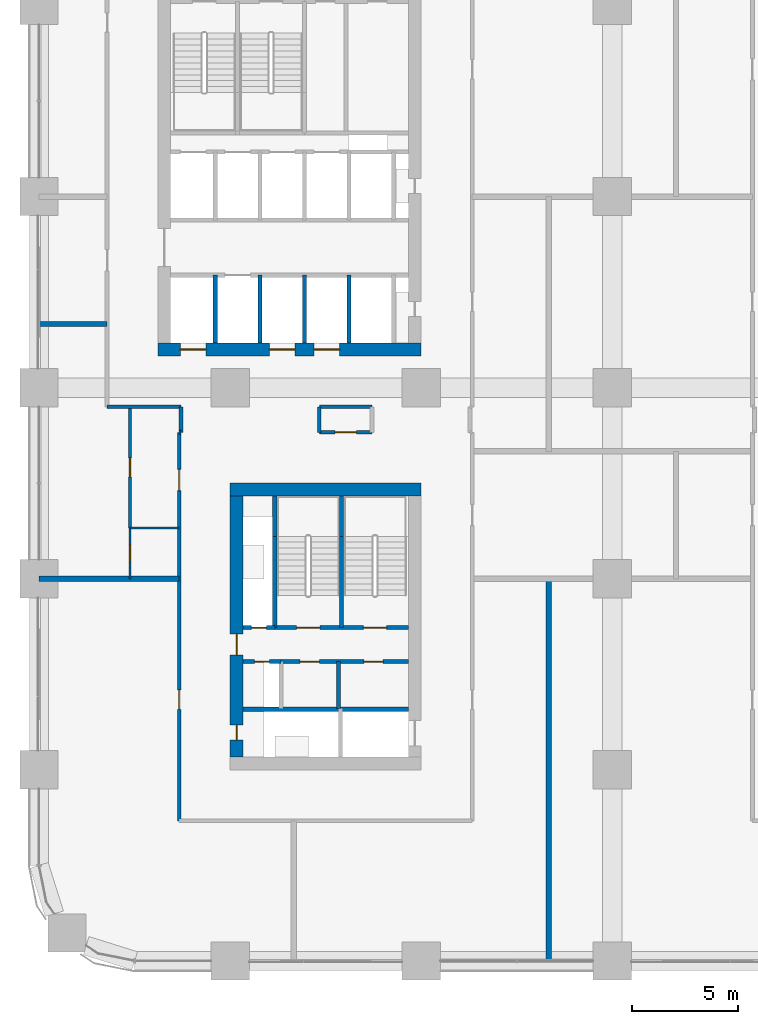
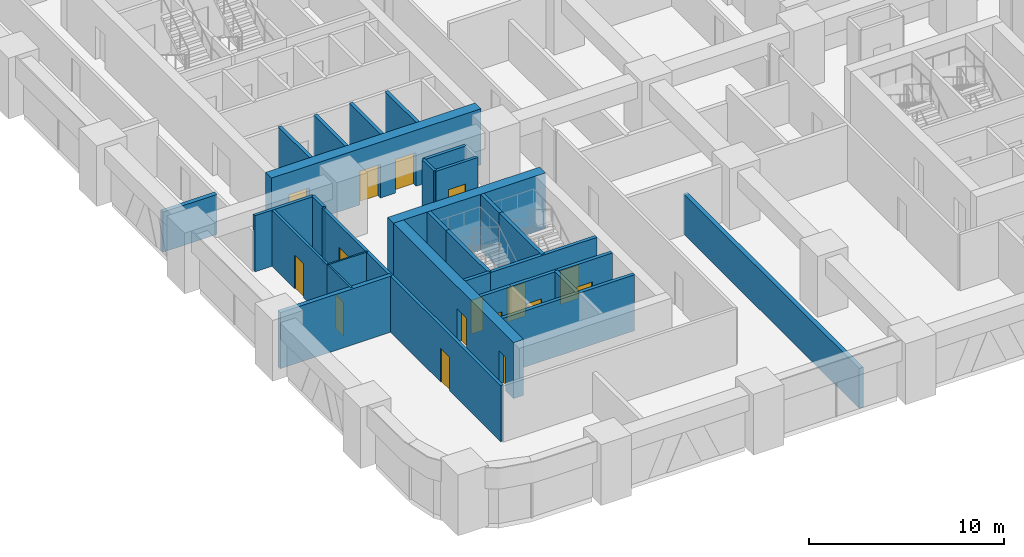
# One storey, part 13 of 21: 30 walls, 16 doors, 16 openings.
"""IFC4 building model written with IfcOpenShell, lengths in metres."""

import ifcopenshell
import ifcopenshell.guid

model = None  # the IFC model being written
_history = None  # IfcOwnerHistory: only IFC2X3 demands one
_inside = {}  # id of a spatial element -> (the spatial element, [elements in it])
_under = {}  # id of a project, library or spatial element -> (it, [spatial elements below it])
_declared = {}  # id of a project -> (the project, [libraries it declares])
_typed = {}  # id of a type object -> (the type object, [elements of that type])
_made_of = {}  # id of a material, layer set ... -> (it, [elements and type objects made of it])


def new_model(schema):
    """Start an empty IFC model of exactly this schema.

    Asked for "IFC4X3", IfcOpenShell would pick the latest addendum, in which some entities
    have other attributes; the version numbers below select the first issue.
    IFC2X3 requires an IfcOwnerHistory on every rooted entity: one is made here for all.
    """
    global model, _history
    if schema == "IFC4X3":
        model = ifcopenshell.file(schema_version=(4, 3, 0, 0))
    else:
        model = ifcopenshell.file(schema=schema)
    _inside.clear()
    _under.clear()
    _declared.clear()
    _typed.clear()
    _made_of.clear()
    _history = None
    if model.schema == "IFC2X3":
        org = make("IfcOrganization", Name="unknown")
        user = make(
            "IfcPersonAndOrganization",
            ThePerson=make("IfcPerson", FamilyName="unknown"),
            TheOrganization=org,
        )
        app = make(
            "IfcApplication",
            ApplicationDeveloper=org,
            Version="unknown",
            ApplicationFullName="unknown",
            ApplicationIdentifier="unknown",
        )
        _history = make(
            "IfcOwnerHistory",
            OwningUser=user,
            OwningApplication=app,
            ChangeAction="ADDED",
            CreationDate=0,
        )
    return model


def make(cls, **values):
    """One entity of the class cls with the attributes given. An attribute that is None is left unset."""
    return model.create_entity(
        cls, **{name: value for name, value in values.items() if value is not None}
    )


def rooted(cls, **values):
    """An entity with a GlobalId (a new one), such as an element, a storey or a relation."""
    return make(cls, GlobalId=ifcopenshell.guid.new(), OwnerHistory=_history, **values)


def si_unit(unit_type, name, prefix=None):
    """IfcSIUnit, for example si_unit("LENGTHUNIT", "METRE", prefix="MILLI")."""
    return make("IfcSIUnit", UnitType=unit_type, Prefix=prefix, Name=name)


def assignment(units):
    """IfcUnitAssignment: the units of a project."""
    return None if units is None else make("IfcUnitAssignment", Units=units)


def point(xyz):
    """IfcCartesianPoint."""
    return None if xyz is None else make("IfcCartesianPoint", Coordinates=xyz)


def direction(xyz):
    """IfcDirection."""
    return None if xyz is None else make("IfcDirection", DirectionRatios=xyz)


def frame(location, z_axis=None, x_axis=None):
    """IfcAxis2Placement3D, a coordinate frame: its origin and axes. An axis left out is left unset."""
    return make(
        "IfcAxis2Placement3D",
        Location=point(location),
        Axis=direction(z_axis),
        RefDirection=direction(x_axis),
    )


def frame_2d(location, x_axis=None):
    """IfcAxis2Placement2D, a coordinate frame in the plane: its origin and x axis."""
    return make(
        "IfcAxis2Placement2D", Location=point(location), RefDirection=direction(x_axis)
    )


def origin():
    """The frame at (0, 0, 0) with its axes left unset."""
    return frame((0.0, 0.0, 0.0))


def place(relative_to, where):
    """IfcLocalPlacement: puts the frame where relative to a parent placement (None: the world)."""
    return make(
        "IfcLocalPlacement", PlacementRelTo=relative_to, RelativePlacement=where
    )


def context(
    kind, dimensions, precision=None, world=None, true_north=None, identifier=None
):
    """IfcGeometricRepresentationContext, for example the 3D "Model" context."""
    return make(
        "IfcGeometricRepresentationContext",
        ContextIdentifier=identifier,
        ContextType=kind,
        CoordinateSpaceDimension=dimensions,
        Precision=precision,
        WorldCoordinateSystem=world,
        TrueNorth=true_north,
    )


def subcontext(parent, identifier, kind, view, scale=None):
    """IfcGeometricRepresentationSubContext, for example "Body" below "Model"."""
    return make(
        "IfcGeometricRepresentationSubContext",
        ContextIdentifier=identifier,
        ContextType=kind,
        ParentContext=parent,
        TargetScale=scale,
        TargetView=view,
    )


def project(units=None, contexts=None):
    """IfcProject with its units and contexts."""
    return rooted(
        "IfcProject",
        Name="project",
        RepresentationContexts=contexts,
        UnitsInContext=assignment(units),
    )


def spatial(cls, under=None, at=None, **own):
    """A site, building, storey or space (cls), placed at a placement, below another one or the project."""
    s = rooted(cls, ObjectPlacement=at, **own)
    if under is not None:
        _under.setdefault(under.id(), (under, []))[1].append(s)
    return s


def profile(cls, at=None, kind="AREA", **sizes):
    """A parametric profile (cls). Its sizes go by their IFC names, for example OverallWidth=200.0."""
    return make(cls, ProfileType=kind, Position=at, **sizes)


def rectangle(**sizes):
    """IfcRectangleProfileDef."""
    return profile("IfcRectangleProfileDef", **sizes)


def extrude(swept, where, along, depth):
    """IfcExtrudedAreaSolid: the profile swept, set in the frame where, extruded along a direction by depth."""
    return make(
        "IfcExtrudedAreaSolid",
        SweptArea=swept,
        Position=where,
        ExtrudedDirection=direction(along),
        Depth=depth,
    )


def shape(context_of_items, identifier, shape_type, items):
    """IfcShapeRepresentation: the items that make up one representation, for example the "Body"."""
    return make(
        "IfcShapeRepresentation",
        ContextOfItems=context_of_items,
        RepresentationIdentifier=identifier,
        RepresentationType=shape_type,
        Items=items,
    )


def material(Name=None, Category=None):
    """IfcMaterial."""
    return make("IfcMaterial", Name=Name, Category=Category)


def layer(
    of_material, thickness, ventilated=None, Name=None, Category=None, Priority=None
):
    """IfcMaterialLayer: one layer of a wall or slab, of a material (None: an air gap)."""
    return make(
        "IfcMaterialLayer",
        Material=of_material,
        LayerThickness=thickness,
        IsVentilated=ventilated,
        Name=Name,
        Category=Category,
        Priority=Priority,
    )


def layer_set(layers, Name=None):
    """IfcMaterialLayerSet."""
    return make("IfcMaterialLayerSet", MaterialLayers=layers, LayerSetName=Name)


def made_of(thing, what):
    """Note that an element or type object is made of a material, layer set ...; save() writes the relation."""
    if what is not None:
        _made_of.setdefault(what.id(), (what, []))[1].append(thing)
    return thing


def type_object(cls, material=None, **own):
    """A type object (cls), such as IfcWallType, which elements share."""
    return made_of(rooted(cls, **own), material)


def element(
    cls,
    number,
    at=None,
    inside=None,
    cuts=None,
    type_object=None,
    material=None,
    context=None,
    identifier="Body",
    shape_type=None,
    held_by="IfcProductDefinitionShape",
    body=None,
    shapes=None,
    **own,
):
    """One element of the class cls, such as IfcWall. Its Tag is "e" and its number.

    at: its placement. inside: the storey or other place that contains it. cuts: it is an
    opening in that element (IfcRelVoidsElement). A single representation is given by context,
    identifier, shape_type and body (its items); several are given by shapes. held_by: the class
    of the entity that holds the representations. save() writes the other relations.
    """
    e = rooted(cls, Tag="e%d" % number, ObjectPlacement=at, **own)
    if body is not None:
        shapes = [shape(context, identifier, shape_type, body)]
    if shapes is not None:
        e.Representation = make(held_by, Representations=shapes)
    if inside is not None:
        _inside.setdefault(inside.id(), (inside, []))[1].append(e)
    if cuts is not None:
        rooted(
            "IfcRelVoidsElement", RelatingBuildingElement=cuts, RelatedOpeningElement=e
        )
    if type_object is not None:
        _typed.setdefault(type_object.id(), (type_object, []))[1].append(e)
    return made_of(e, material)


def fill(opening, filler):
    """IfcRelFillsElement: the door or window that sits in an opening."""
    return rooted(
        "IfcRelFillsElement",
        RelatingOpeningElement=opening,
        RelatedBuildingElement=filler,
    )


def aggregate(whole, parts):
    """IfcRelAggregates: a whole, such as a stair, and the parts it consists of."""
    return rooted("IfcRelAggregates", RelatingObject=whole, RelatedObjects=parts)


def save(model, path):
    """Write the relations noted so far, then the file.

    IfcRelAggregates (storeys below a building ...), IfcRelContainedInSpatialStructure (elements
    in a storey), IfcRelDefinesByType, IfcRelAssociatesMaterial and IfcRelDeclares: one each for
    every whole, place, type object, material and project.
    """
    for whole, parts in _under.values():
        aggregate(whole, parts)
    for where, things in _inside.values():
        rooted(
            "IfcRelContainedInSpatialStructure",
            RelatedElements=things,
            RelatingStructure=where,
        )
    for kind, things in _typed.values():
        rooted("IfcRelDefinesByType", RelatedObjects=things, RelatingType=kind)
    for what, things in _made_of.values():
        rooted("IfcRelAssociatesMaterial", RelatedObjects=things, RelatingMaterial=what)
    for by, libraries in _declared.values():
        rooted("IfcRelDeclares", RelatingContext=by, RelatedDefinitions=libraries)
    model.write(path)


model = new_model("IFC4")

# Units and contexts
model_context = context("Model", 3, precision=1e-05, world=origin(), true_north=direction((0.0, 1.0)))
body_context = subcontext(model_context, "Body", "Model", "MODEL_VIEW")
ifc_project = project(units=[si_unit("LENGTHUNIT", "METRE"), si_unit("AREAUNIT", "SQUARE_METRE"), si_unit("VOLUMEUNIT", "CUBIC_METRE"), si_unit("PLANEANGLEUNIT", "RADIAN"), si_unit("MASSUNIT", "GRAM", prefix="KILO")], contexts=[model_context])

# Site, building, storey
site_placement = place(None, origin())
site = spatial("IfcSite", under=ifc_project, at=site_placement, CompositionType="ELEMENT")
building_placement = place(site_placement, origin())
building = spatial("IfcBuilding", under=site, at=building_placement, Name="Tessera Arch", CompositionType="ELEMENT")
storey_placement = place(building_placement, frame((0.0, 0.0, 65.199951171875)))
storey = spatial("IfcBuildingStorey", under=building, at=storey_placement, Name="L14", CompositionType="ELEMENT", Elevation=65.199951171875)

# Wall
ifc_material_1 = material(Name="Gypsum board on steel stud", Category="steel")
ifc_layer_1 = layer(ifc_material_1, 0.125)
ifc_layer_set_1 = layer_set([ifc_layer_1], Name="Core partition 125 EI 60")
wall_type_1 = type_object("IfcWallType", Name="Core partition 125 EI 60", PredefinedType="PARTITIONING", material=ifc_layer_set_1)
wall_1_placement = place(storey_placement, frame((14.10009765625, 11.89990234375, 0.0), z_axis=(0.0, 0.0, 1.0), x_axis=(0.0, 1.0, 0.0)))
element("IfcWall", 1, at=wall_1_placement, inside=storey, type_object=wall_type_1, Name="L14 C4 partition wall 4", PredefinedType="PARTITIONING", context=body_context, shape_type="SweptSolid", body=[
    extrude(rectangle(XDim=2.2001953125, YDim=0.199951171875, at=frame_2d((1.10009765625, 0.0))), origin(), (0.0, 0.0, 1.0), 3.5),
])

# Wall, openings, doors
wall_2_placement = place(storey_placement, frame((11.39990234375, 14.10009765625, 0.0), z_axis=(0.0, 0.0, 1.0), x_axis=(1.0, 0.0, 0.0)))
wall_2 = element("IfcWall", 2, at=wall_2_placement, inside=storey, type_object=wall_type_1, Name="L14 C4 partition wall 9", PredefinedType="PARTITIONING", context=body_context, shape_type="SweptSolid", body=[
    extrude(rectangle(XDim=6.0, YDim=0.199951171875, at=frame_2d((3.0, 0.0))), origin(), (0.0, 0.0, 1.0), 3.5),
])
opening_1_placement = place(wall_2_placement, frame((0.89990234375, 0.0, 0.0)))
opening_1 = element("IfcOpeningElement", 3, at=opening_1_placement, cuts=wall_2, Name="Opening L14-C48", PredefinedType="OPENING", context=body_context, shape_type="SweptSolid", body=[
    extrude(rectangle(XDim=0.89990234375, YDim=2.10009765625, at=frame_2d((0.449951171875, 1.050048828125))), frame((0.0, 0.10986328125, 0.0), z_axis=(0.0, -1.0, 0.0), x_axis=(1.0, 0.0, 0.0)), (0.0, 0.0, 1.0), 0.219970703125),
])
opening_2_placement = place(wall_2_placement, frame((3.89990234375, 0.0, 0.0)))
opening_2 = element("IfcOpeningElement", 4, at=opening_2_placement, cuts=wall_2, Name="Opening L14-C49", PredefinedType="OPENING", context=body_context, shape_type="SweptSolid", body=[
    extrude(rectangle(XDim=0.89990234375, YDim=2.10009765625, at=frame_2d((0.449951171875, 1.050048828125))), frame((0.0, 0.10986328125, 0.0), z_axis=(0.0, -1.0, 0.0), x_axis=(1.0, 0.0, 0.0)), (0.0, 0.0, 1.0), 0.219970703125),
])
ifc_material_2 = material(Name="Steel door leaf", Category="steel")
door_type_1 = type_object("IfcDoorType", Name="Store door FD30S 900 x 2100", OperationType="SINGLE_SWING_LEFT", PredefinedType="DOOR", material=ifc_material_2)
door_1_placement = place(opening_1_placement, origin())
door_1 = element("IfcDoor", 5, at=door_1_placement, inside=storey, type_object=door_type_1, Name="L14 C4 door 8 C48 type D09", OperationType="SINGLE_SWING_LEFT", OverallHeight=2.10009765625, OverallWidth=0.89990234375, PredefinedType="DOOR", context=body_context, shape_type="SweptSolid", body=[
    extrude(rectangle(XDim=0.89990234375, YDim=2.10009765625, at=frame_2d((0.449951171875, 1.050048828125))), frame((0.0, 0.02490234375, 0.0), z_axis=(0.0, -1.0, 0.0), x_axis=(1.0, 0.0, 0.0)), (0.0, 0.0, 1.0), 0.050048828125),
])
fill(opening_1, door_1)
door_2_placement = place(opening_2_placement, origin())
door_2 = element("IfcDoor", 6, at=door_2_placement, inside=storey, type_object=door_type_1, Name="L14 C4 door 9 C49 type D09", OperationType="SINGLE_SWING_RIGHT", OverallHeight=2.10009765625, OverallWidth=0.89990234375, PredefinedType="DOOR", context=body_context, shape_type="SweptSolid", body=[
    extrude(rectangle(XDim=0.89990234375, YDim=2.10009765625, at=frame_2d((0.449951171875, 1.050048828125))), frame((0.0, 0.02490234375, 0.0), z_axis=(0.0, -1.0, 0.0), x_axis=(1.0, 0.0, 0.0)), (0.0, 0.0, 1.0), 0.050048828125),
])
fill(opening_2, door_2)

ifc_material_3 = material(Name="Concrete C70/85", Category="concrete")
ifc_layer_2 = layer(ifc_material_3, 0.60009765625)
ifc_layer_set_2 = layer_set([ifc_layer_2], Name="Core shell wall 600 C70-85")
wall_type_2 = type_object("IfcWallType", Name="Core shell wall 600 C70-85", PredefinedType="SHEAR", material=ifc_layer_set_2)
wall_3_placement = place(storey_placement, frame((5.60009765625, 28.800048828125, 0.0), z_axis=(0.0, 0.0, 1.0), x_axis=(1.0, 0.0, 0.0)))
wall_3 = element("IfcWall", 7, at=wall_3_placement, inside=storey, type_object=wall_type_2, Name="L14 C2 core wall S", PredefinedType="SHEAR", context=body_context, shape_type="SweptSolid", body=[
    extrude(rectangle(XDim=12.39990234375, YDim=0.60009765625, at=frame_2d((6.199951171875, 0.0))), origin(), (0.0, 0.0, 1.0), 3.5),
])
opening_3_placement = place(wall_3_placement, frame((1.050048828125, 0.0, 0.0)))
opening_3 = element("IfcOpeningElement", 8, at=opening_3_placement, cuts=wall_3, Name="Opening L14-C14", PredefinedType="OPENING", context=body_context, shape_type="SweptSolid", body=[
    extrude(rectangle(XDim=1.199951171875, YDim=2.10009765625, at=frame_2d((0.60009765625, 1.050048828125))), frame((0.0, 0.31005859375, 0.0), z_axis=(0.0, -1.0, 0.0), x_axis=(1.0, 0.0, 0.0)), (0.0, 0.0, 1.0), 0.6201171875),
])
opening_4_placement = place(wall_3_placement, frame((5.25, 0.0, 0.0)))
opening_4 = element("IfcOpeningElement", 9, at=opening_4_placement, cuts=wall_3, Name="Opening L14-C16", PredefinedType="OPENING", context=body_context, shape_type="SweptSolid", body=[
    extrude(rectangle(XDim=1.199951171875, YDim=2.10009765625, at=frame_2d((0.60009765625, 1.050048828125))), frame((0.0, 0.31005859375, 0.0), z_axis=(0.0, -1.0, 0.0), x_axis=(1.0, 0.0, 0.0)), (0.0, 0.0, 1.0), 0.6201171875),
])
opening_5_placement = place(wall_3_placement, frame((7.35009765625, 0.0, 0.0)))
opening_5 = element("IfcOpeningElement", 10, at=opening_5_placement, cuts=wall_3, Name="Opening L14-C17", PredefinedType="OPENING", context=body_context, shape_type="SweptSolid", body=[
    extrude(rectangle(XDim=1.199951171875, YDim=2.10009765625, at=frame_2d((0.60009765625, 1.050048828125))), frame((0.0, 0.31005859375, 0.0), z_axis=(0.0, -1.0, 0.0), x_axis=(1.0, 0.0, 0.0)), (0.0, 0.0, 1.0), 0.6201171875),
])
ifc_material_4 = material(Name="Stainless steel AISI 304", Category="steel")
door_type_2 = type_object("IfcDoorType", Name="Sliding landing door 1200 x 2100", OperationType="SLIDING_TO_LEFT", PredefinedType="DOOR", material=ifc_material_4)
door_3_placement = place(opening_3_placement, origin())
door_3 = element("IfcDoor", 11, at=door_3_placement, inside=storey, type_object=door_type_2, Name="L14 LR1 lift landing door C14 type LD", OperationType="SLIDING_TO_LEFT", OverallHeight=2.10009765625, OverallWidth=1.199951171875, PredefinedType="DOOR", context=body_context, shape_type="SweptSolid", body=[
    extrude(rectangle(XDim=1.199951171875, YDim=2.10009765625, at=frame_2d((0.60009765625, 1.050048828125))), frame((0.0, 0.02490234375, 0.0), z_axis=(0.0, -1.0, 0.0), x_axis=(1.0, 0.0, 0.0)), (0.0, 0.0, 1.0), 0.050048828125),
])
fill(opening_3, door_3)
door_4_placement = place(opening_4_placement, origin())
door_4 = element("IfcDoor", 12, at=door_4_placement, inside=storey, type_object=door_type_2, Name="L14 LR3 lift landing door C16 type LD", OperationType="SLIDING_TO_LEFT", OverallHeight=2.10009765625, OverallWidth=1.199951171875, PredefinedType="DOOR", context=body_context, shape_type="SweptSolid", body=[
    extrude(rectangle(XDim=1.199951171875, YDim=2.10009765625, at=frame_2d((0.60009765625, 1.050048828125))), frame((0.0, 0.02490234375, 0.0), z_axis=(0.0, -1.0, 0.0), x_axis=(1.0, 0.0, 0.0)), (0.0, 0.0, 1.0), 0.050048828125),
])
fill(opening_4, door_4)
door_5_placement = place(opening_5_placement, origin())
door_5 = element("IfcDoor", 13, at=door_5_placement, inside=storey, type_object=door_type_2, Name="L14 LR4 lift landing door C17 type LD", OperationType="SLIDING_TO_LEFT", OverallHeight=2.10009765625, OverallWidth=1.199951171875, PredefinedType="DOOR", context=body_context, shape_type="SweptSolid", body=[
    extrude(rectangle(XDim=1.199951171875, YDim=2.10009765625, at=frame_2d((0.60009765625, 1.050048828125))), frame((0.0, 0.02490234375, 0.0), z_axis=(0.0, -1.0, 0.0), x_axis=(1.0, 0.0, 0.0)), (0.0, 0.0, 1.0), 0.050048828125),
])
fill(opening_5, door_5)

# Wall
wall_4_placement = place(storey_placement, frame((9.0, 22.199951171875, 0.0), z_axis=(0.0, 0.0, 1.0), x_axis=(1.0, 0.0, 0.0)))
element("IfcWall", 14, at=wall_4_placement, inside=storey, type_object=wall_type_2, Name="L14 C4 core wall N", PredefinedType="SHEAR", context=body_context, shape_type="SweptSolid", body=[
    extrude(rectangle(XDim=9.0, YDim=0.60009765625, at=frame_2d((4.5, 0.0))), origin(), (0.0, 0.0, 1.0), 3.5),
])

# Wall, openings, doors
wall_5_placement = place(storey_placement, frame((9.300048828125, 9.60009765625, 0.0), z_axis=(0.0, 0.0, 1.0), x_axis=(0.0, 1.0, 0.0)))
wall_5 = element("IfcWall", 15, at=wall_5_placement, inside=storey, type_object=wall_type_2, Name="L14 C4 core wall W", PredefinedType="SHEAR", context=body_context, shape_type="SweptSolid", body=[
    extrude(rectangle(XDim=12.2998046875, YDim=0.60009765625, at=frame_2d((6.14990234375, 0.0))), origin(), (0.0, 0.0, 1.0), 3.5),
])
opening_6_placement = place(wall_5_placement, frame((0.800048828125, 0.0, 0.0)))
opening_6 = element("IfcOpeningElement", 16, at=opening_6_placement, cuts=wall_5, Name="Opening L14-C46", PredefinedType="OPENING", context=body_context, shape_type="SweptSolid", body=[
    extrude(rectangle(XDim=0.699951171875, YDim=2.10009765625, at=frame_2d((0.35009765625, 1.050048828125))), frame((0.0, 0.31005859375, 0.0), z_axis=(0.0, -1.0, 0.0), x_axis=(1.0, 0.0, 0.0)), (0.0, 0.0, 1.0), 0.6201171875),
])
opening_7_placement = place(wall_5_placement, frame((4.800048828125, 0.0, 0.0)))
opening_7 = element("IfcOpeningElement", 17, at=opening_7_placement, cuts=wall_5, Name="Opening L14-C47", PredefinedType="OPENING", context=body_context, shape_type="SweptSolid", body=[
    extrude(rectangle(XDim=1.0, YDim=2.10009765625, at=frame_2d((0.5, 1.050048828125))), frame((0.0, 0.31005859375, 0.0), z_axis=(0.0, -1.0, 0.0), x_axis=(1.0, 0.0, 0.0)), (0.0, 0.0, 1.0), 0.6201171875),
])
ifc_material_5 = material(Name="Steel door leaf", Category="steel")
door_type_3 = type_object("IfcDoorType", Name="Corridor door FD60 1000 x 2100", OperationType="SINGLE_SWING_LEFT", PredefinedType="DOOR", material=ifc_material_5)
door_6_placement = place(opening_7_placement, origin())
door_6 = element("IfcDoor", 18, at=door_6_placement, inside=storey, type_object=door_type_3, Name="L14 C4 door 7 C47 type D12", OperationType="SINGLE_SWING_LEFT", OverallHeight=2.10009765625, OverallWidth=1.0, PredefinedType="DOOR", context=body_context, shape_type="SweptSolid", body=[
    extrude(rectangle(XDim=1.0, YDim=2.10009765625, at=frame_2d((0.5, 1.050048828125))), frame((0.0, 0.02490234375, 0.0), z_axis=(0.0, -1.0, 0.0), x_axis=(1.0, 0.0, 0.0)), (0.0, 0.0, 1.0), 0.050048828125),
])
fill(opening_7, door_6)
ifc_material_6 = material(Name="Steel door leaf", Category="steel")
door_type_4 = type_object("IfcDoorType", Name="Service shaft door FD60 700 x 2100", OperationType="SINGLE_SWING_LEFT", PredefinedType="DOOR", material=ifc_material_6)
door_7_placement = place(opening_6_placement, origin())
door_7 = element("IfcDoor", 19, at=door_7_placement, inside=storey, type_object=door_type_4, Name="L14 C4 door 6 C46 type D07", OperationType="SINGLE_SWING_LEFT", OverallHeight=2.10009765625, OverallWidth=0.699951171875, PredefinedType="DOOR", context=body_context, shape_type="SweptSolid", body=[
    extrude(rectangle(XDim=0.699951171875, YDim=2.10009765625, at=frame_2d((0.35009765625, 1.050048828125))), frame((0.0, 0.02490234375, 0.0), z_axis=(0.0, -1.0, 0.0), x_axis=(1.0, 0.0, 0.0)), (0.0, 0.0, 1.0), 0.050048828125),
])
fill(opening_6, door_7)

# Wall
ifc_material_7 = material(Name="Gypsum board on deep steel stud with mineral wool", Category="steel")
ifc_layer_3 = layer(ifc_material_7, 0.175048828125)
ifc_layer_set_3 = layer_set([ifc_layer_3], Name="Corridor wall 175 EI 60")
wall_type_3 = type_object("IfcWallType", Name="Corridor wall 175 EI 60", PredefinedType="PARTITIONING", material=ifc_layer_set_3)
wall_6_placement = place(storey_placement, frame((6.60009765625, 24.89990234375, 0.0), z_axis=(0.0, 0.0, 1.0), x_axis=(1.0, 0.0, 0.0)))
element("IfcWall", 20, at=wall_6_placement, inside=storey, type_object=wall_type_3, Name="L14 partition 3", PredefinedType="PARTITIONING", context=body_context, shape_type="SweptSolid", body=[
    extrude(rectangle(XDim=0.079833984375, YDim=0.175048828125, at=frame_2d((0.0400390625, 0.0))), origin(), (0.0, 0.0, 1.0), 3.5),
])

# Wall, opening, door
wall_7_placement = place(storey_placement, frame((13.199951171875, 24.89990234375, 0.0), z_axis=(0.0, 0.0, 1.0), x_axis=(1.0, 0.0, 0.0)))
wall_7 = element("IfcWall", 21, at=wall_7_placement, inside=storey, type_object=wall_type_3, Name="L14 partition 4", PredefinedType="PARTITIONING", context=body_context, shape_type="SweptSolid", body=[
    extrude(rectangle(XDim=2.47998046875, YDim=0.175048828125, at=frame_2d((1.239990234375, 0.0))), origin(), (0.0, 0.0, 1.0), 3.5),
])
opening_8_placement = place(wall_7_placement, frame((0.739990234375, 0.0, 0.0)))
opening_8 = element("IfcOpeningElement", 22, at=opening_8_placement, cuts=wall_7, Name="Opening L14-D016", PredefinedType="OPENING", context=body_context, shape_type="SweptSolid", body=[
    extrude(rectangle(XDim=1.0, YDim=2.10009765625, at=frame_2d((0.5, 1.050048828125))), frame((0.0, 0.097412109375, 0.0), z_axis=(0.0, -1.0, 0.0), x_axis=(1.0, 0.0, 0.0)), (0.0, 0.0, 1.0), 0.195068359375),
])
ifc_material_8 = material(Name="Fire-rated door leaf")
door_type_5 = type_object("IfcDoorType", Name="Entrance door FD30S 1000 x 2100", OperationType="SINGLE_SWING_LEFT", PredefinedType="DOOR", material=ifc_material_8)
door_8_placement = place(opening_8_placement, origin())
door_8 = element("IfcDoor", 23, at=door_8_placement, inside=storey, type_object=door_type_5, Name="L14 door D016 type D03", OperationType="SINGLE_SWING_RIGHT", OverallHeight=2.10009765625, OverallWidth=1.0, PredefinedType="DOOR", context=body_context, shape_type="SweptSolid", body=[
    extrude(rectangle(XDim=1.0, YDim=2.10009765625, at=frame_2d((0.5, 1.050048828125))), frame((0.0, 0.02490234375, 0.0), z_axis=(0.0, -1.0, 0.0), x_axis=(1.0, 0.0, 0.0)), (0.0, 0.0, 1.0), 0.050048828125),
])
fill(opening_8, door_8)

# Walls
wall_8_placement = place(storey_placement, frame((3.199951171875, 26.10009765625, 0.0), z_axis=(0.0, 0.0, 1.0), x_axis=(1.0, 0.0, 0.0)))
element("IfcWall", 24, at=wall_8_placement, inside=storey, type_object=wall_type_3, Name="L14 partition 9", PredefinedType="PARTITIONING", context=body_context, shape_type="SweptSolid", body=[
    extrude(rectangle(XDim=3.47998046875, YDim=0.175048828125, at=frame_2d((1.739990234375, 0.0))), origin(), (0.0, 0.0, 1.0), 3.5),
])
wall_9_placement = place(storey_placement, frame((13.199951171875, 26.10009765625, 0.0), z_axis=(0.0, 0.0, 1.0), x_axis=(1.0, 0.0, 0.0)))
element("IfcWall", 25, at=wall_9_placement, inside=storey, type_object=wall_type_3, Name="L14 partition 10", PredefinedType="PARTITIONING", context=body_context, shape_type="SweptSolid", body=[
    extrude(rectangle(XDim=2.47998046875, YDim=0.175048828125, at=frame_2d((1.239990234375, 0.0))), origin(), (0.0, 0.0, 1.0), 3.5),
])

# Wall, openings, doors
wall_10_placement = place(storey_placement, frame((6.60009765625, 6.60009765625, 0.0), z_axis=(0.0, 0.0, 1.0), x_axis=(0.0, 1.0, 0.0)))
wall_10 = element("IfcWall", 26, at=wall_10_placement, inside=storey, type_object=wall_type_3, Name="L14 partition 18", PredefinedType="PARTITIONING", context=body_context, shape_type="SweptSolid", body=[
    extrude(rectangle(XDim=18.2998046875, YDim=0.175048828125, at=frame_2d((9.14990234375, 0.0))), origin(), (0.0, 0.0, 1.0), 3.5),
])
opening_9_placement = place(wall_10_placement, frame((5.25, 0.0, 0.0)))
opening_9 = element("IfcOpeningElement", 27, at=opening_9_placement, cuts=wall_10, Name="Opening L14-D005", PredefinedType="OPENING", context=body_context, shape_type="SweptSolid", body=[
    extrude(rectangle(XDim=0.89990234375, YDim=2.10009765625, at=frame_2d((0.449951171875, 1.050048828125))), frame((0.0, 0.097412109375, 0.0), z_axis=(0.0, -1.0, 0.0), x_axis=(1.0, 0.0, 0.0)), (0.0, 0.0, 1.0), 0.195068359375),
])
opening_10_placement = place(wall_10_placement, frame((15.550048828125, 0.0, 0.0)))
opening_10 = element("IfcOpeningElement", 28, at=opening_10_placement, cuts=wall_10, Name="Opening L14-D013", PredefinedType="OPENING", context=body_context, shape_type="SweptSolid", body=[
    extrude(rectangle(XDim=1.0, YDim=2.10009765625, at=frame_2d((0.5, 1.050048828125))), frame((0.0, 0.097412109375, 0.0), z_axis=(0.0, -1.0, 0.0), x_axis=(1.0, 0.0, 0.0)), (0.0, 0.0, 1.0), 0.195068359375),
])
door_9_placement = place(opening_10_placement, origin())
door_9 = element("IfcDoor", 29, at=door_9_placement, inside=storey, type_object=door_type_5, Name="L14 door D013 type D03", OperationType="SINGLE_SWING_LEFT", OverallHeight=2.10009765625, OverallWidth=1.0, PredefinedType="DOOR", context=body_context, shape_type="SweptSolid", body=[
    extrude(rectangle(XDim=1.0, YDim=2.10009765625, at=frame_2d((0.5, 1.050048828125))), frame((0.0, 0.02490234375, 0.0), z_axis=(0.0, -1.0, 0.0), x_axis=(1.0, 0.0, 0.0)), (0.0, 0.0, 1.0), 0.050048828125),
])
fill(opening_10, door_9)
ifc_material_9 = material(Name="Timber door leaf", Category="wood")
door_type_6 = type_object("IfcDoorType", Name="Room door 900 x 2100", OperationType="SINGLE_SWING_LEFT", PredefinedType="DOOR", material=ifc_material_9)
door_10_placement = place(opening_9_placement, origin())
door_10 = element("IfcDoor", 30, at=door_10_placement, inside=storey, type_object=door_type_6, Name="L14 door D005 type D01", OperationType="SINGLE_SWING_LEFT", OverallHeight=2.10009765625, OverallWidth=0.89990234375, PredefinedType="DOOR", context=body_context, shape_type="SweptSolid", body=[
    extrude(rectangle(XDim=0.89990234375, YDim=2.10009765625, at=frame_2d((0.449951171875, 1.050048828125))), frame((0.0, 0.02490234375, 0.0), z_axis=(0.0, -1.0, 0.0), x_axis=(1.0, 0.0, 0.0)), (0.0, 0.0, 1.0), 0.050048828125),
])
fill(opening_9, door_10)

# Walls
for number, where, z_axis, x_axis, name in (
    (31, (6.679931640625, 24.89990234375, 0.0), (0.0, 0.0, 1.0), (0.0, 1.0, 0.0), "L14 partition 19"),
    (32, (13.199951171875, 24.89990234375, 0.0), (0.0, 0.0, 1.0), (0.0, 1.0, 0.0), "L14 partition 20"),
):
    element("IfcWall", number, at=place(storey_placement, frame(where, z_axis=z_axis, x_axis=x_axis)), inside=storey, type_object=wall_type_3, Name=name, PredefinedType="PARTITIONING", context=body_context, shape_type="SweptSolid", body=[
        extrude(rectangle(XDim=1.2001953125, YDim=0.175048828125, at=frame_2d((0.60009765625, 0.0))), origin(), (0.0, 0.0, 1.0), 3.5),
    ])

# Wall, opening, door
ifc_material_10 = material(Name="Gypsum board on steel stud", Category="steel")
ifc_layer_4 = layer(ifc_material_10, 0.14990234375)
ifc_layer_set_4 = layer_set([ifc_layer_4], Name="Partition 150")
wall_type_4 = type_object("IfcWallType", Name="Partition 150", PredefinedType="PARTITIONING", material=ifc_layer_set_4)
wall_11_placement = place(storey_placement, frame((4.280029296875, 20.39990234375, 0.0), z_axis=(0.0, 0.0, 1.0), x_axis=(0.0, 1.0, 0.0)))
wall_11 = element("IfcWall", 33, at=wall_11_placement, inside=storey, type_object=wall_type_4, Name="L14 partition 34", PredefinedType="PARTITIONING", context=body_context, shape_type="SweptSolid", body=[
    extrude(rectangle(XDim=5.7001953125, YDim=0.14990234375, at=frame_2d((2.85009765625, 0.0))), origin(), (0.0, 0.0, 1.0), 3.5),
])
opening_11_placement = place(wall_11_placement, frame((2.39990234375, 0.0, 0.0)))
opening_11 = element("IfcOpeningElement", 34, at=opening_11_placement, cuts=wall_11, Name="Opening L14-D014", PredefinedType="OPENING", context=body_context, shape_type="SweptSolid", body=[
    extrude(rectangle(XDim=0.89990234375, YDim=2.10009765625, at=frame_2d((0.449951171875, 1.050048828125))), frame((0.0, 0.0849609375, 0.0), z_axis=(0.0, -1.0, 0.0), x_axis=(1.0, 0.0, 0.0)), (0.0, 0.0, 1.0), 0.169921875),
])
door_11_placement = place(opening_11_placement, origin())
door_11 = element("IfcDoor", 35, at=door_11_placement, inside=storey, type_object=door_type_6, Name="L14 door D014 type D01", OperationType="SINGLE_SWING_RIGHT", OverallHeight=2.10009765625, OverallWidth=0.89990234375, PredefinedType="DOOR", context=body_context, shape_type="SweptSolid", body=[
    extrude(rectangle(XDim=0.89990234375, YDim=2.10009765625, at=frame_2d((0.449951171875, 1.050048828125))), frame((0.0, 0.02490234375, 0.0), z_axis=(0.0, -1.0, 0.0), x_axis=(1.0, 0.0, 0.0)), (0.0, 0.0, 1.0), 0.050048828125),
])
fill(opening_11, door_11)

# Walls
ifc_material_11 = material(Name="Double gypsum board on twin steel stud with acoustic mineral wool", Category="steel")
ifc_layer_5 = layer(ifc_material_11, 0.25)
ifc_layer_set_5 = layer_set([ifc_layer_5], Name="Party wall 250 EI 60")
wall_type_5 = type_object("IfcWallType", Name="Party wall 250 EI 60", PredefinedType="PARTITIONING", material=ifc_layer_set_5)
wall_12_placement = place(storey_placement, frame((0.0, 18.0, 0.0), z_axis=(0.0, 0.0, 1.0), x_axis=(1.0, 0.0, 0.0)))
element("IfcWall", 36, at=wall_12_placement, inside=storey, type_object=wall_type_5, Name="L14 partition 36", PredefinedType="PARTITIONING", context=body_context, shape_type="SweptSolid", body=[
    extrude(rectangle(XDim=6.60009765625, YDim=0.25, at=frame_2d((3.300048828125, 0.0))), origin(), (0.0, 0.0, 1.0), 3.5),
])
wall_13_placement = place(storey_placement, frame((0.0, 30.0, 0.0), z_axis=(0.0, 0.0, 1.0), x_axis=(1.0, 0.0, 0.0)))
element("IfcWall", 37, at=wall_13_placement, inside=storey, type_object=wall_type_5, Name="L14 partition 41", PredefinedType="PARTITIONING", context=body_context, shape_type="SweptSolid", body=[
    extrude(rectangle(XDim=3.199951171875, YDim=0.25, at=frame_2d((1.60009765625, 0.0))), origin(), (0.0, 0.0, 1.0), 2.5),
])
wall_14_placement = place(storey_placement, frame((24.0, 0.0, 0.0), z_axis=(0.0, 0.0, 1.0), x_axis=(0.0, 1.0, 0.0)))
element("IfcWall", 38, at=wall_14_placement, inside=storey, type_object=wall_type_5, Name="L14 partition 50", PredefinedType="PARTITIONING", context=body_context, shape_type="SweptSolid", body=[
    extrude(rectangle(XDim=18.0, YDim=0.25, at=frame_2d((9.0, 0.0))), origin(), (0.0, 0.0, 1.0), 2.5),
])
ifc_material_12 = material(Name="Concrete C40/50", Category="concrete")
ifc_layer_6 = layer(ifc_material_12, 0.199951171875)
ifc_layer_set_6 = layer_set([ifc_layer_6], Name="Shaft wall 200 EI 120")
wall_type_6 = type_object("IfcWallType", Name="Shaft wall 200 EI 120", PredefinedType="SOLIDWALL", material=ifc_layer_set_6)
for number, where, z_axis, x_axis, name in (
    (39, (8.300048828125, 29.10009765625, 0.0), (0.0, 0.0, 1.0), (0.0, 1.0, 0.0), "L14 C2 shaft wall 1"),
    (40, (10.39990234375, 29.10009765625, 0.0), (0.0, 0.0, 1.0), (0.0, 1.0, 0.0), "L14 C2 shaft wall 6"),
    (41, (12.5, 29.10009765625, 0.0), (0.0, 0.0, 1.0), (0.0, 1.0, 0.0), "L14 C2 shaft wall 8"),
    (42, (14.60009765625, 29.10009765625, 0.0), (0.0, 0.0, 1.0), (0.0, 1.0, 0.0), "L14 C2 shaft wall 13"),
):
    element("IfcWall", number, at=place(storey_placement, frame(where, z_axis=z_axis, x_axis=x_axis)), inside=storey, type_object=wall_type_6, Name=name, PredefinedType="SOLIDWALL", context=body_context, shape_type="SweptSolid", body=[
        extrude(rectangle(XDim=3.199951171875, YDim=0.199951171875, at=frame_2d((1.60009765625, 0.0))), origin(), (0.0, 0.0, 1.0), 3.5),
    ])
wall_15_placement = place(storey_placement, frame((9.60009765625, 11.85009765625, 0.0), z_axis=(0.0, 0.0, 1.0), x_axis=(1.0, 0.0, 0.0)))
element("IfcWall", 43, at=wall_15_placement, inside=storey, type_object=wall_type_6, Name="L14 C4 shaft wall 8", PredefinedType="SOLIDWALL", context=body_context, shape_type="SweptSolid", body=[
    extrude(rectangle(XDim=7.7998046875, YDim=0.199951171875, at=frame_2d((3.89990234375, 0.0))), origin(), (0.0, 0.0, 1.0), 3.5),
])

# Wall, opening, door
wall_16_placement = place(storey_placement, frame((9.60009765625, 14.10009765625, 0.0), z_axis=(0.0, 0.0, 1.0), x_axis=(1.0, 0.0, 0.0)))
wall_16 = element("IfcWall", 44, at=wall_16_placement, inside=storey, type_object=wall_type_6, Name="L14 C4 shaft wall 10", PredefinedType="SOLIDWALL", context=body_context, shape_type="SweptSolid", body=[
    extrude(rectangle(XDim=1.7998046875, YDim=0.199951171875, at=frame_2d((0.89990234375, 0.0))), origin(), (0.0, 0.0, 1.0), 3.5),
])
opening_12_placement = place(wall_16_placement, frame((0.550048828125, 0.0, 0.0)))
opening_12 = element("IfcOpeningElement", 45, at=opening_12_placement, cuts=wall_16, Name="Opening L14-C45", PredefinedType="OPENING", context=body_context, shape_type="SweptSolid", body=[
    extrude(rectangle(XDim=0.699951171875, YDim=2.10009765625, at=frame_2d((0.35009765625, 1.050048828125))), frame((0.0, 0.10986328125, 0.0), z_axis=(0.0, -1.0, 0.0), x_axis=(1.0, 0.0, 0.0)), (0.0, 0.0, 1.0), 0.219970703125),
])
door_12_placement = place(opening_12_placement, origin())
door_12 = element("IfcDoor", 46, at=door_12_placement, inside=storey, type_object=door_type_4, Name="L14 C4 door 5 C45 type D07", OperationType="SINGLE_SWING_LEFT", OverallHeight=2.10009765625, OverallWidth=0.699951171875, PredefinedType="DOOR", context=body_context, shape_type="SweptSolid", body=[
    extrude(rectangle(XDim=0.699951171875, YDim=2.10009765625, at=frame_2d((0.35009765625, 1.050048828125))), frame((0.0, 0.02490234375, 0.0), z_axis=(0.0, -1.0, 0.0), x_axis=(1.0, 0.0, 0.0)), (0.0, 0.0, 1.0), 0.050048828125),
])
fill(opening_12, door_12)

wall_17_placement = place(storey_placement, frame((9.60009765625, 15.699951171875, 0.0), z_axis=(0.0, 0.0, 1.0), x_axis=(1.0, 0.0, 0.0)))
wall_17 = element("IfcWall", 47, at=wall_17_placement, inside=storey, type_object=wall_type_6, Name="L14 C4 shaft wall 11", PredefinedType="SOLIDWALL", context=body_context, shape_type="SweptSolid", body=[
    extrude(rectangle(XDim=1.5, YDim=0.199951171875, at=frame_2d((0.75, 0.0))), origin(), (0.0, 0.0, 1.0), 3.5),
])
opening_13_placement = place(wall_17_placement, frame((0.39990234375, 0.0, 0.0)))
opening_13 = element("IfcOpeningElement", 48, at=opening_13_placement, cuts=wall_17, Name="Opening L14-C44", PredefinedType="OPENING", context=body_context, shape_type="SweptSolid", body=[
    extrude(rectangle(XDim=0.699951171875, YDim=2.10009765625, at=frame_2d((0.35009765625, 1.050048828125))), frame((0.0, 0.10986328125, 0.0), z_axis=(0.0, -1.0, 0.0), x_axis=(1.0, 0.0, 0.0)), (0.0, 0.0, 1.0), 0.219970703125),
])
door_13_placement = place(opening_13_placement, origin())
door_13 = element("IfcDoor", 49, at=door_13_placement, inside=storey, type_object=door_type_4, Name="L14 C4 door 4 C44 type D07", OperationType="SINGLE_SWING_LEFT", OverallHeight=2.10009765625, OverallWidth=0.699951171875, PredefinedType="DOOR", context=body_context, shape_type="SweptSolid", body=[
    extrude(rectangle(XDim=0.699951171875, YDim=2.10009765625, at=frame_2d((0.35009765625, 1.050048828125))), frame((0.0, 0.02490234375, 0.0), z_axis=(0.0, -1.0, 0.0), x_axis=(1.0, 0.0, 0.0)), (0.0, 0.0, 1.0), 0.050048828125),
])
fill(opening_13, door_13)

# Walls
ifc_material_13 = material(Name="Concrete C40/50", Category="concrete")
ifc_layer_7 = layer(ifc_material_13, 0.199951171875)
ifc_layer_set_7 = layer_set([ifc_layer_7], Name="Stair well wall 200 REI 180")
wall_type_7 = type_object("IfcWallType", Name="Stair well wall 200 REI 180", PredefinedType="SOLIDWALL", material=ifc_layer_set_7)
wall_18_placement = place(storey_placement, frame((11.10009765625, 15.699951171875, 0.0), z_axis=(0.0, 0.0, 1.0), x_axis=(0.0, 1.0, 0.0)))
element("IfcWall", 50, at=wall_18_placement, inside=storey, type_object=wall_type_7, Name="L14 C4 shaft wall 1", PredefinedType="SOLIDWALL", context=body_context, shape_type="SweptSolid", body=[
    extrude(rectangle(XDim=4.300048828125, YDim=0.199951171875, at=frame_2d((2.14990234375, 0.0))), origin(), (0.0, 0.0, 1.0), 3.5),
])
wall_19_placement = place(storey_placement, frame((11.10009765625, 20.0, 0.0), z_axis=(0.0, 0.0, 1.0), x_axis=(0.0, 1.0, 0.0)))
element("IfcWall", 51, at=wall_19_placement, inside=storey, type_object=wall_type_7, Name="L14 C4 shaft wall 2", PredefinedType="SOLIDWALL", context=body_context, shape_type="SweptSolid", body=[
    extrude(rectangle(XDim=1.89990234375, YDim=0.199951171875, at=frame_2d((0.949951171875, 0.0))), origin(), (0.0, 0.0, 1.0), 3.5),
])
wall_20_placement = place(storey_placement, frame((14.25, 15.699951171875, 0.0), z_axis=(0.0, 0.0, 1.0), x_axis=(0.0, 1.0, 0.0)))
element("IfcWall", 52, at=wall_20_placement, inside=storey, type_object=wall_type_7, Name="L14 C4 shaft wall 6", PredefinedType="SOLIDWALL", context=body_context, shape_type="SweptSolid", body=[
    extrude(rectangle(XDim=4.300048828125, YDim=0.199951171875, at=frame_2d((2.14990234375, 0.0))), origin(), (0.0, 0.0, 1.0), 3.5),
])
wall_21_placement = place(storey_placement, frame((14.25, 20.0, 0.0), z_axis=(0.0, 0.0, 1.0), x_axis=(0.0, 1.0, 0.0)))
element("IfcWall", 53, at=wall_21_placement, inside=storey, type_object=wall_type_7, Name="L14 C4 shaft wall 7", PredefinedType="SOLIDWALL", context=body_context, shape_type="SweptSolid", body=[
    extrude(rectangle(XDim=1.89990234375, YDim=0.199951171875, at=frame_2d((0.949951171875, 0.0))), origin(), (0.0, 0.0, 1.0), 3.5),
])

# Wall, openings, doors
wall_22_placement = place(storey_placement, frame((11.10009765625, 15.699951171875, 0.0), z_axis=(0.0, 0.0, 1.0), x_axis=(1.0, 0.0, 0.0)))
wall_22 = element("IfcWall", 54, at=wall_22_placement, inside=storey, type_object=wall_type_7, Name="L14 C4 shaft wall 12", PredefinedType="SOLIDWALL", context=body_context, shape_type="SweptSolid", body=[
    extrude(rectangle(XDim=6.2998046875, YDim=0.199951171875, at=frame_2d((3.14990234375, 0.0))), origin(), (0.0, 0.0, 1.0), 3.5),
])
opening_14_placement = place(wall_22_placement, frame((4.175048828125, 0.0, 0.0)))
opening_14 = element("IfcOpeningElement", 55, at=opening_14_placement, cuts=wall_22, Name="Opening L14-C42", PredefinedType="OPENING", context=body_context, shape_type="SweptSolid", body=[
    extrude(rectangle(XDim=1.10009765625, YDim=2.10009765625, at=frame_2d((0.550048828125, 1.050048828125))), frame((0.0, 0.10986328125, 0.0), z_axis=(0.0, -1.0, 0.0), x_axis=(1.0, 0.0, 0.0)), (0.0, 0.0, 1.0), 0.219970703125),
])
opening_15_placement = place(wall_22_placement, frame((1.02490234375, 0.0, 0.0)))
opening_15 = element("IfcOpeningElement", 56, at=opening_15_placement, cuts=wall_22, Name="Opening L14-C43", PredefinedType="OPENING", context=body_context, shape_type="SweptSolid", body=[
    extrude(rectangle(XDim=1.10009765625, YDim=2.10009765625, at=frame_2d((0.550048828125, 1.050048828125))), frame((0.0, 0.10986328125, 0.0), z_axis=(0.0, -1.0, 0.0), x_axis=(1.0, 0.0, 0.0)), (0.0, 0.0, 1.0), 0.219970703125),
])
ifc_material_14 = material(Name="Steel door leaf", Category="steel")
door_type_7 = type_object("IfcDoorType", Name="Stair door FD60 1100 x 2100", OperationType="SINGLE_SWING_LEFT", PredefinedType="DOOR", material=ifc_material_14)
door_14_placement = place(opening_14_placement, origin())
door_14 = element("IfcDoor", 57, at=door_14_placement, inside=storey, type_object=door_type_7, Name="L14 C4 door 2 C42 type D05", OperationType="SINGLE_SWING_RIGHT", OverallHeight=2.10009765625, OverallWidth=1.10009765625, PredefinedType="DOOR", context=body_context, shape_type="SweptSolid", body=[
    extrude(rectangle(XDim=1.10009765625, YDim=2.10009765625, at=frame_2d((0.550048828125, 1.050048828125))), frame((0.0, 0.02490234375, 0.0), z_axis=(0.0, -1.0, 0.0), x_axis=(1.0, 0.0, 0.0)), (0.0, 0.0, 1.0), 0.050048828125),
])
fill(opening_14, door_14)
door_15_placement = place(opening_15_placement, origin())
door_15 = element("IfcDoor", 58, at=door_15_placement, inside=storey, type_object=door_type_7, Name="L14 C4 door 3 C43 type D05", OperationType="SINGLE_SWING_LEFT", OverallHeight=2.10009765625, OverallWidth=1.10009765625, PredefinedType="DOOR", context=body_context, shape_type="SweptSolid", body=[
    extrude(rectangle(XDim=1.10009765625, YDim=2.10009765625, at=frame_2d((0.550048828125, 1.050048828125))), frame((0.0, 0.02490234375, 0.0), z_axis=(0.0, -1.0, 0.0), x_axis=(1.0, 0.0, 0.0)), (0.0, 0.0, 1.0), 0.050048828125),
])
fill(opening_15, door_15)

# Wall
ifc_material_15 = material(Name="Moisture-resistant board on pre-plumbed steel stud", Category="steel")
ifc_layer_8 = layer(ifc_material_15, 0.10009765625)
ifc_layer_set_8 = layer_set([ifc_layer_8], Name="Wet wall 100")
wall_type_8 = type_object("IfcWallType", Name="Wet wall 100", PredefinedType="PARTITIONING", material=ifc_layer_set_8)
wall_23_placement = place(storey_placement, frame((4.280029296875, 20.39990234375, 0.0), z_axis=(0.0, 0.0, 1.0), x_axis=(1.0, 0.0, 0.0)))
element("IfcWall", 59, at=wall_23_placement, inside=storey, type_object=wall_type_8, Name="L14 partition 60", PredefinedType="PARTITIONING", context=body_context, shape_type="SweptSolid", body=[
    extrude(rectangle(XDim=2.320068359375, YDim=0.10009765625, at=frame_2d((1.16015625, 0.0))), origin(), (0.0, 0.0, 1.0), 3.5),
])

# Wall, opening, door
wall_24_placement = place(storey_placement, frame((4.280029296875, 18.0, 0.0), z_axis=(0.0, 0.0, 1.0), x_axis=(0.0, 1.0, 0.0)))
wall_24 = element("IfcWall", 60, at=wall_24_placement, inside=storey, type_object=wall_type_8, Name="L14 partition 62", PredefinedType="PARTITIONING", context=body_context, shape_type="SweptSolid", body=[
    extrude(rectangle(XDim=2.39990234375, YDim=0.10009765625, at=frame_2d((1.199951171875, 0.0))), origin(), (0.0, 0.0, 1.0), 3.5),
])
opening_16_placement = place(wall_24_placement, frame((0.800048828125, 0.0, 0.0)))
opening_16 = element("IfcOpeningElement", 61, at=opening_16_placement, cuts=wall_24, Name="Opening L14-D015", PredefinedType="OPENING", context=body_context, shape_type="SweptSolid", body=[
    extrude(rectangle(XDim=0.800048828125, YDim=2.10009765625, at=frame_2d((0.39990234375, 1.050048828125))), frame((0.0, 0.06005859375, 0.0), z_axis=(0.0, -1.0, 0.0), x_axis=(1.0, 0.0, 0.0)), (0.0, 0.0, 1.0), 0.1201171875),
])
ifc_material_16 = material(Name="Timber door leaf", Category="wood")
door_type_8 = type_object("IfcDoorType", Name="En-suite door 800 x 2100", OperationType="SINGLE_SWING_LEFT", PredefinedType="DOOR", material=ifc_material_16)
door_16_placement = place(opening_16_placement, origin())
door_16 = element("IfcDoor", 62, at=door_16_placement, inside=storey, type_object=door_type_8, Name="L14 door D015 type D02", OperationType="SINGLE_SWING_LEFT", OverallHeight=2.10009765625, OverallWidth=0.800048828125, PredefinedType="DOOR", context=body_context, shape_type="SweptSolid", body=[
    extrude(rectangle(XDim=0.800048828125, YDim=2.10009765625, at=frame_2d((0.39990234375, 1.050048828125))), frame((0.0, 0.02490234375, 0.0), z_axis=(0.0, -1.0, 0.0), x_axis=(1.0, 0.0, 0.0)), (0.0, 0.0, 1.0), 0.050048828125),
])
fill(opening_16, door_16)

save(model, "model.ifc")
